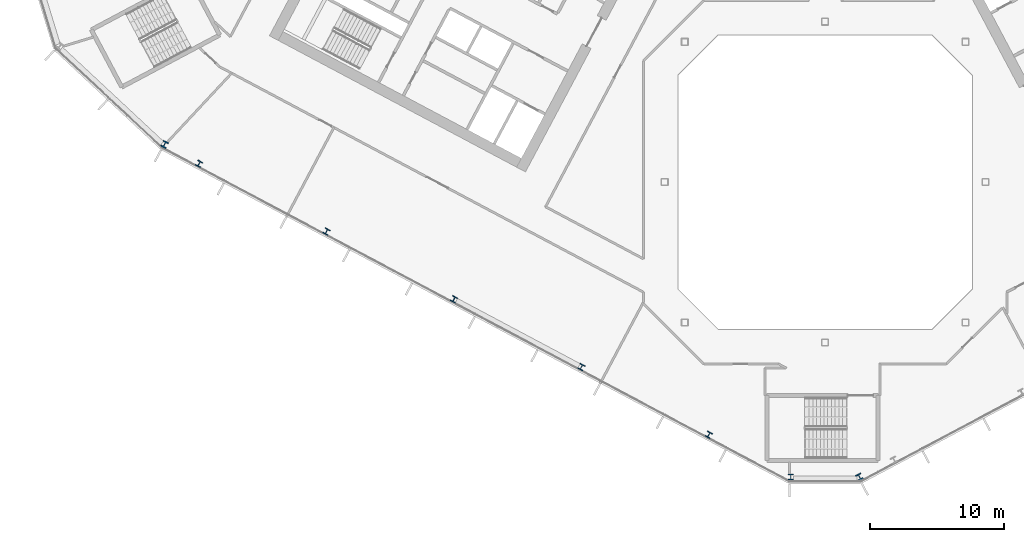
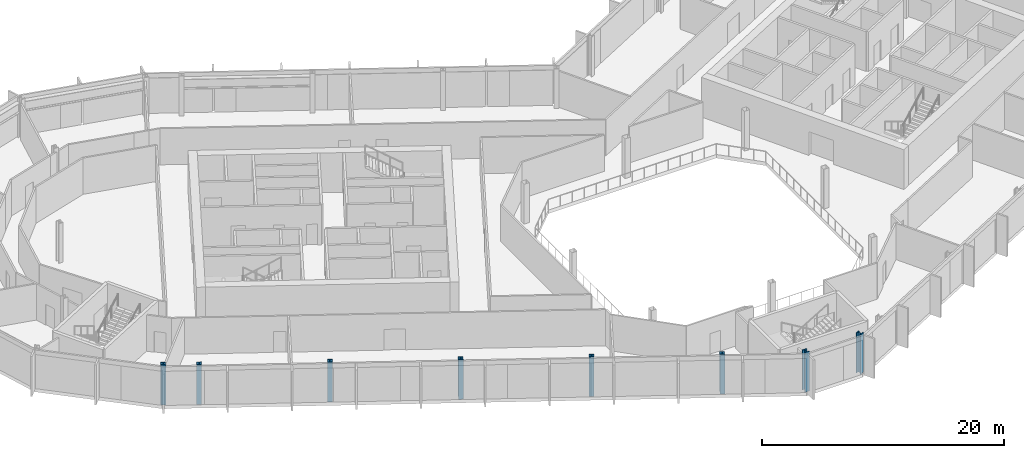
# One storey, part 1 of 28: 8 columns.
"""IFC4 building model written with IfcOpenShell, lengths in metres."""

from ifc_helpers import new_model, si_unit, direction, frame, origin, origin_2d, place, context, subcontext, project, spatial, i_section, extrude, material, material_profile, profile_set, type_object, element, save


model = new_model("IFC4")

# Units and contexts
model_context = context("Model", 3, precision=1e-05, world=origin(), true_north=direction((0.0, 1.0)))
body_context = subcontext(model_context, "Body", "Model", "MODEL_VIEW")
ifc_project = project(units=[si_unit("LENGTHUNIT", "METRE"), si_unit("AREAUNIT", "SQUARE_METRE"), si_unit("VOLUMEUNIT", "CUBIC_METRE"), si_unit("PLANEANGLEUNIT", "RADIAN"), si_unit("MASSUNIT", "GRAM", prefix="KILO")], contexts=[model_context])

# Site, building, storey
site_placement = place(None, origin())
site = spatial("IfcSite", under=ifc_project, at=site_placement, CompositionType="ELEMENT")
building_placement = place(site_placement, origin())
building = spatial("IfcBuilding", under=site, at=building_placement, Name="Cormorant Relay Tower", CompositionType="ELEMENT")
storey_placement = place(building_placement, frame((0.0, 0.0, 142.199951171875)))
storey = spatial("IfcBuildingStorey", under=building, at=storey_placement, Name="L29", CompositionType="ELEMENT", Elevation=142.199951171875)

# Columns
ifc_material_1 = material(Name="Steel ASTM A992 (Fy 345 MPa)", Category="steel")
ifc_material_profile_1 = material_profile(ifc_material_1, i_section(OverallWidth=0.41162109375, OverallDepth=0.434326171875, WebThickness=0.035888671875, FlangeThickness=0.057373046875, FilletRadius=0.01513671875, at=origin_2d()), Name="W360x463")
ifc_profile_set_1 = profile_set([ifc_material_profile_1], Name="Steel ASTM A992 (Fy 345 MPa)")
column_type_1 = type_object("IfcColumnType", Name="Column W360x463", PredefinedType="COLUMN", material=ifc_profile_set_1)
for number, where, z_axis, x_axis, name in (
    (1, (-8.696044921875, -18.910888671875, 0.0), (0.0, 0.0, 1.0), (0.882947592859, -0.469471562786, 0.0), "Column L29-004"),
    (2, (-18.23193359375, -13.841064453125, 0.0), (0.0, 0.0, 1.0), (0.882947592859, -0.469471562786, 0.0), "Column L29-006"),
    (3, (-27.76806640625, -8.77001953125, 0.0), (0.0, 0.0, 1.0), (0.882947592859, -0.469471562786, 0.0), "Column L29-011"),
    (4, (-37.303955078125, -3.699951171875, 0.0), (0.0, 0.0, 1.0), (0.882947592859, -0.469471562786, 0.0), "Column L29-013"),
    (5, (-46.839111328125, 1.3701171875, 0.0), (0.0, 0.0, 1.0), (0.882947592859, -0.469471562786, 0.0), "Column L29-018"),
):
    element("IfcColumn", number, at=place(storey_placement, frame(where, z_axis=z_axis, x_axis=x_axis)), inside=storey, type_object=column_type_1, Name=name, PredefinedType="COLUMN", context=body_context, shape_type="SweptSolid", body=[
        extrude(i_section(OverallWidth=0.41162109375, OverallDepth=0.434326171875, WebThickness=0.035888671875, FlangeThickness=0.057373046875, FilletRadius=0.01513671875, at=origin_2d()), origin(), (0.0, 0.0, 1.0), 4.0),
    ])
ifc_material_2 = material(Name="Steel ASTM A992 (Fy 345 MPa)", Category="steel")
ifc_material_profile_2 = material_profile(ifc_material_2, i_section(OverallWidth=0.42431640625, OverallDepth=0.47509765625, WebThickness=0.0478515625, FlangeThickness=0.0771484375, FilletRadius=0.014892578125, at=origin_2d()), Name="W360x634")
ifc_profile_set_2 = profile_set([ifc_material_profile_2], Name="Steel ASTM A992 (Fy 345 MPa)")
column_type_2 = type_object("IfcColumnType", Name="Column W360x634", PredefinedType="COLUMN", material=ifc_profile_set_2)
for number, where, z_axis, x_axis, name in (
    (6, (-2.571044921875, -22.06494140625, 0.0), (0.0, 0.0, 1.0), (1.0, 0.0, 0.0), "Column L29-001"),
    (7, (2.571044921875, -22.06494140625, 0.0), (0.0, 0.0, 1.0), (0.882947592859, 0.469471562786, 0.0), "Column L29-002"),
    (8, (-49.423095703125, 2.820068359375, 0.0), (0.0, 0.0, 1.0), (0.882947592859, -0.469471562786, 0.0), "Column L29-019"),
):
    element("IfcColumn", number, at=place(storey_placement, frame(where, z_axis=z_axis, x_axis=x_axis)), inside=storey, type_object=column_type_2, Name=name, PredefinedType="COLUMN", context=body_context, shape_type="SweptSolid", body=[
        extrude(i_section(OverallWidth=0.42431640625, OverallDepth=0.47509765625, WebThickness=0.0478515625, FlangeThickness=0.0771484375, FilletRadius=0.014892578125, at=origin_2d()), origin(), (0.0, 0.0, 1.0), 4.0),
    ])

save(model, "model.ifc")
